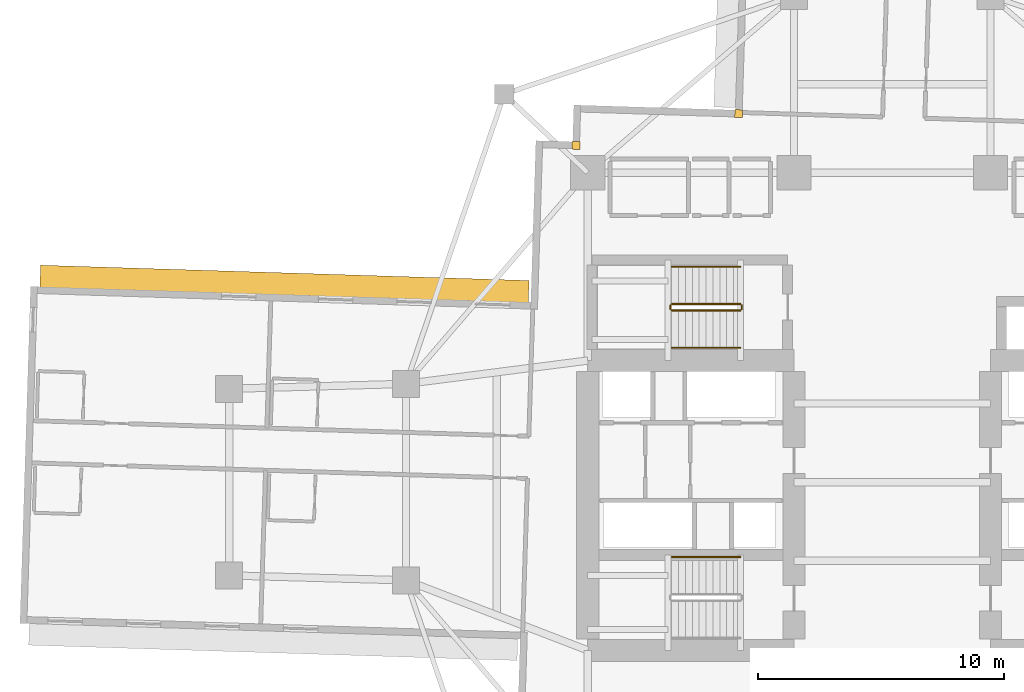
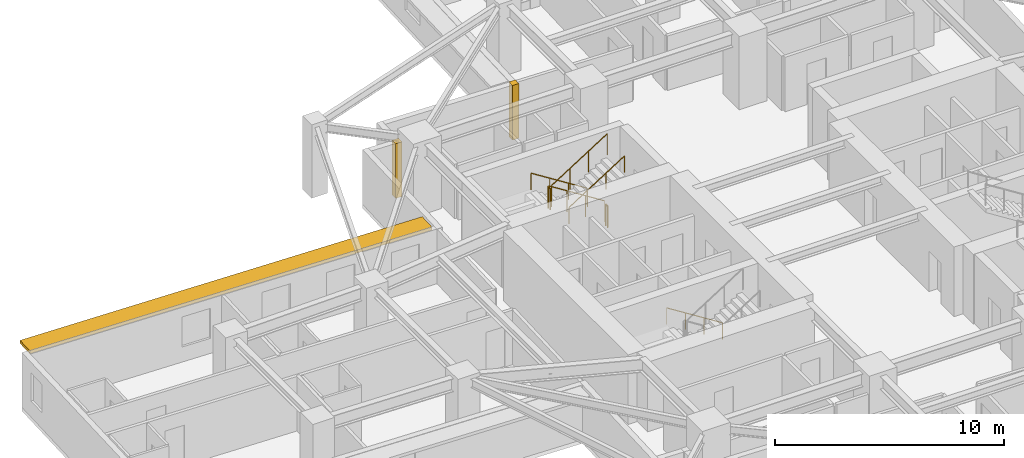
# One storey, part 12 of 13: 7 railings, 2 coverings, 1 shading device.
"""IFC4 building model written with IfcOpenShell, lengths in metres."""

from ifc_helpers import new_model, si_unit, direction, frame, origin, origin_2d, place, context, subcontext, project, spatial, rectangle, circle, extrude, material, layer, layer_set, type_object, element, save


model = new_model("IFC4")

# Units and contexts
model_context = context("Model", 3, precision=1e-05, world=origin(), true_north=direction((0.0, 1.0)))
body_context = subcontext(model_context, "Body", "Model", "MODEL_VIEW")
ifc_project = project(units=[si_unit("LENGTHUNIT", "METRE"), si_unit("AREAUNIT", "SQUARE_METRE"), si_unit("VOLUMEUNIT", "CUBIC_METRE"), si_unit("PLANEANGLEUNIT", "RADIAN"), si_unit("MASSUNIT", "GRAM", prefix="KILO")], contexts=[model_context])

# Site, building, storey
site_placement = place(None, origin())
site = spatial("IfcSite", under=ifc_project, at=site_placement, CompositionType="ELEMENT")
building_placement = place(site_placement, origin())
building = spatial("IfcBuilding", under=site, at=building_placement, Name="Qingluan Cross Belvedere", CompositionType="ELEMENT")
storey_placement = place(building_placement, frame((0.0, 0.0, 71.699951171875)))
storey = spatial("IfcBuildingStorey", under=building, at=storey_placement, Name="L18", CompositionType="ELEMENT", Elevation=71.699951171875)

# Coverings
ifc_material_1 = material(Name="Precast concrete C45", Category="concrete")
ifc_layer_1 = layer(ifc_material_1, 0.1201171875, Name="ConcreteSpandrelCladding_120")
ifc_layer_set_1 = layer_set([ifc_layer_1], Name="Precast concrete C45")
covering_type = type_object("IfcCoveringType", Name="ConcreteSpandrelCladding_120", PredefinedType="CLADDING", material=ifc_layer_set_1)
for number, where, z_axis, x_axis, name in (
    (1, (-12.875732421875, 13.711181640625, 0.0), (0.0, 0.0, 1.0), (0.999506560366, -0.031410759078, 0.0), "Corner closure L18-NW1"),
    (2, (-6.251708984375, 15.00390625, 0.0), (0.0, 0.0, 1.0), (0.999506560366, -0.031410759078, 0.0), "Corner closure L18-NW2"),
):
    element("IfcCovering", number, at=place(storey_placement, frame(where, z_axis=z_axis, x_axis=x_axis)), inside=storey, type_object=covering_type, Name=name, PredefinedType="CLADDING", context=body_context, shape_type="SweptSolid", body=[
        extrude(rectangle(XDim=0.320068359375, YDim=0.320068359375, at=origin_2d()), origin(), (0.0, 0.0, 1.0), 2.909912109375),
    ])

# Shading device
ifc_material_2 = material(Name="Precast concrete C45", Category="concrete")
ifc_layer_2 = layer(ifc_material_2, 0.159912109375, Name="ConcreteSunshadeBand_900")
ifc_layer_set_2 = layer_set([ifc_layer_2], Name="Precast concrete C45")
shading_device_type = type_object("IfcShadingDeviceType", Name="ConcreteSunshadeBand_900", PredefinedType="USERDEFINED", material=ifc_layer_set_2)
shading_device_placement = place(storey_placement, frame((-24.74853515625, 8.0712890625, 2.72998046875), z_axis=(0.0, 0.0, 1.0), x_axis=(-0.999506649124, 0.031407934627, 0.0)))
element("IfcShadingDevice", 3, at=shading_device_placement, inside=storey, type_object=shading_device_type, Name="Concrete SUNSHADE L18-WA", ObjectType="SUNSHADE", PredefinedType="USERDEFINED", context=body_context, shape_type="SweptSolid", body=[
    extrude(rectangle(XDim=19.89990234375, YDim=0.89990234375, at=origin_2d()), origin(), (0.0, 0.0, 1.0), 0.159912109375),
])

# Railings
ifc_material_3 = material(Name="Brushed stainless steel tubular handrail", Category="steel")
railing_type_1 = type_object("IfcRailingType", Name="StairPitchHandrail_900", PredefinedType="HANDRAIL", material=ifc_material_3)
for number, where, name in (
    (4, (-6.179931640625, -3.050048828125, 0.17724609375), "L18 ST1 stair handrail 1"),
    (5, (-6.179931640625, 8.77001953125, 0.17724609375), "L18 ST3 stair handrail 1"),
):
    element("IfcRailing", number, at=place(storey_placement, frame(where)), inside=storey, type_object=railing_type_1, Name=name, PredefinedType="HANDRAIL", context=body_context, shape_type="SweptSolid", body=[
        extrude(circle(Radius=0.02392578125, at=origin_2d()), frame((0.0, 0.0, 0.8759765625), z_axis=(-0.844908973607, 0.0, 0.534910110503), x_axis=(0.0, -1.0, 0.0)), (0.0, 0.0, 1.0), 3.31396484375),
        extrude(circle(Radius=0.02099609375, at=origin_2d()), origin(), (0.0, 0.0, 1.0), 0.851806640625),
        extrude(circle(Radius=0.02099609375, at=origin_2d()), frame((-0.933349609375, 0.0, 0.5908203125)), (0.0, 0.0, 1.0), 0.851806640625),
        extrude(circle(Radius=0.02099609375, at=origin_2d()), frame((-1.86669921875, 0.0, 1.181884765625)), (0.0, 0.0, 1.0), 0.851806640625),
        extrude(circle(Radius=0.02099609375, at=origin_2d()), frame((-2.800048828125, 0.0, 1.772705078125)), (0.0, 0.0, 1.0), 0.851806640625),
    ])
railing_1_placement = place(storey_placement, frame((-8.97998046875, 5.469970703125, 2.12744140625)))
element("IfcRailing", 6, at=railing_1_placement, inside=storey, type_object=railing_type_1, Name="L18 ST3 stair handrail 2", PredefinedType="HANDRAIL", context=body_context, shape_type="SweptSolid", body=[
    extrude(circle(Radius=0.02392578125, at=origin_2d()), frame((0.0, 0.0, 0.8759765625), z_axis=(0.844908973607, 0.0, 0.534910110503), x_axis=(0.0, 1.0, 0.0)), (0.0, 0.0, 1.0), 3.31396484375),
    extrude(circle(Radius=0.02099609375, at=origin_2d()), origin(), (0.0, 0.0, 1.0), 0.851806640625),
    extrude(circle(Radius=0.02099609375, at=origin_2d()), frame((0.933349609375, 0.0, 0.5908203125)), (0.0, 0.0, 1.0), 0.851806640625),
    extrude(circle(Radius=0.02099609375, at=origin_2d()), frame((1.86669921875, 0.0, 1.181884765625)), (0.0, 0.0, 1.0), 0.851806640625),
    extrude(circle(Radius=0.02099609375, at=origin_2d()), frame((2.800048828125, 0.0, 1.772705078125)), (0.0, 0.0, 1.0), 0.851806640625),
])
ifc_material_4 = material(Name="Painted steel stair well guard", Category="steel")
railing_type_2 = type_object("IfcRailingType", Name="StairWellGuard_1150", PredefinedType="BALUSTRADE", material=ifc_material_4)
railing_2_placement = place(storey_placement, frame((-6.179931640625, 7.25, 0.17724609375)))
element("IfcRailing", 7, at=railing_2_placement, inside=storey, type_object=railing_type_2, Name="L18 ST3 stair guard 1", PredefinedType="BALUSTRADE", context=body_context, shape_type="SweptSolid", body=[
    extrude(circle(Radius=0.02392578125, at=origin_2d()), frame((0.0, 0.0, 1.1259765625), z_axis=(-0.844908973607, 0.0, 0.534910110503), x_axis=(0.0, -1.0, 0.0)), (0.0, 0.0, 1.0), 3.31396484375),
    extrude(circle(Radius=0.02099609375, at=origin_2d()), origin(), (0.0, 0.0, 1.0), 1.101806640625),
    extrude(circle(Radius=0.02099609375, at=origin_2d()), frame((-0.933349609375, 0.0, 0.5908203125)), (0.0, 0.0, 1.0), 1.101806640625),
    extrude(circle(Radius=0.02099609375, at=origin_2d()), frame((-1.86669921875, 0.0, 1.181884765625)), (0.0, 0.0, 1.0), 1.101806640625),
    extrude(circle(Radius=0.02099609375, at=origin_2d()), frame((-2.800048828125, 0.0, 1.772705078125)), (0.0, 0.0, 1.0), 1.101806640625),
])
railing_3_placement = place(storey_placement, frame((-9.030029296875, 7.199951171875, 1.949951171875)))
element("IfcRailing", 8, at=railing_3_placement, inside=storey, type_object=railing_type_2, Name="L18 ST3 stair guard 2", PredefinedType="BALUSTRADE", context=body_context, shape_type="SweptSolid", body=[
    extrude(circle(Radius=0.02392578125, at=origin_2d()), frame((0.0, 0.0, 1.1259765625), z_axis=(0.0, -1.0, 0.0), x_axis=(1.0, 0.0, 0.0)), (0.0, 0.0, 1.0), 0.159912109375),
    extrude(circle(Radius=0.02099609375, at=origin_2d()), origin(), (0.0, 0.0, 1.0), 1.101806640625),
    extrude(circle(Radius=0.02099609375, at=origin_2d()), frame((0.0, -0.159912109375, 0.0)), (0.0, 0.0, 1.0), 1.101806640625),
])
railing_4_placement = place(storey_placement, frame((-8.97998046875, 6.989990234375, 2.12744140625)))
element("IfcRailing", 9, at=railing_4_placement, inside=storey, type_object=railing_type_2, Name="L18 ST3 stair guard 3", PredefinedType="BALUSTRADE", context=body_context, shape_type="SweptSolid", body=[
    extrude(circle(Radius=0.02392578125, at=origin_2d()), frame((0.0, 0.0, 1.1259765625), z_axis=(0.844908973607, 0.0, 0.534910110503), x_axis=(0.0, 1.0, 0.0)), (0.0, 0.0, 1.0), 3.31396484375),
    extrude(circle(Radius=0.02099609375, at=origin_2d()), origin(), (0.0, 0.0, 1.0), 1.101806640625),
    extrude(circle(Radius=0.02099609375, at=origin_2d()), frame((0.933349609375, 0.0, 0.5908203125)), (0.0, 0.0, 1.0), 1.101806640625),
    extrude(circle(Radius=0.02099609375, at=origin_2d()), frame((1.86669921875, 0.0, 1.181884765625)), (0.0, 0.0, 1.0), 1.101806640625),
    extrude(circle(Radius=0.02099609375, at=origin_2d()), frame((2.800048828125, 0.0, 1.772705078125)), (0.0, 0.0, 1.0), 1.101806640625),
])
railing_5_placement = place(storey_placement, frame((-6.1298828125, 7.199951171875, 0.0)))
element("IfcRailing", 10, at=railing_5_placement, inside=storey, type_object=railing_type_2, Name="L18 ST3 stair guard 4", PredefinedType="BALUSTRADE", context=body_context, shape_type="SweptSolid", body=[
    extrude(circle(Radius=0.02392578125, at=origin_2d()), frame((0.0, 0.0, 1.1259765625), z_axis=(0.0, -1.0, 0.0), x_axis=(1.0, 0.0, 0.0)), (0.0, 0.0, 1.0), 0.159912109375),
    extrude(circle(Radius=0.02099609375, at=origin_2d()), origin(), (0.0, 0.0, 1.0), 1.101806640625),
    extrude(circle(Radius=0.02099609375, at=origin_2d()), frame((0.0, -0.159912109375, 0.0)), (0.0, 0.0, 1.0), 1.101806640625),
])

save(model, "model.ifc")
